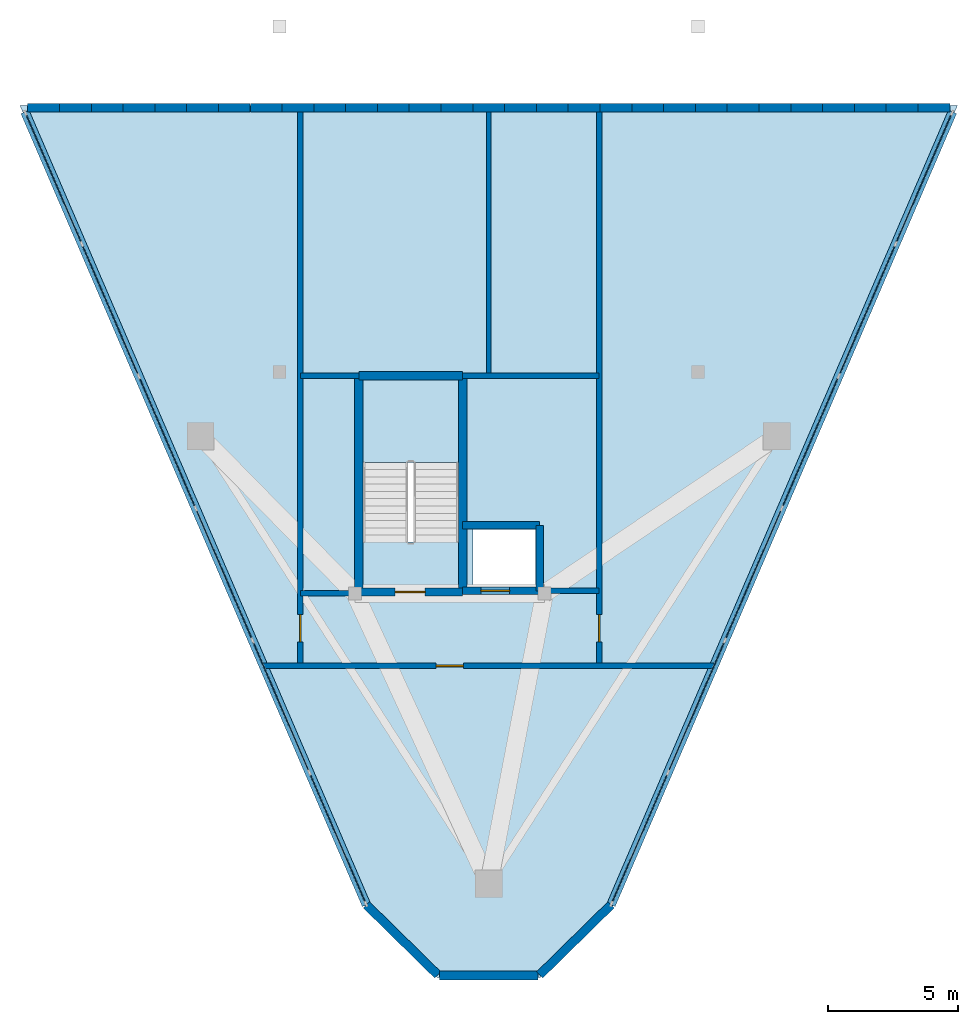
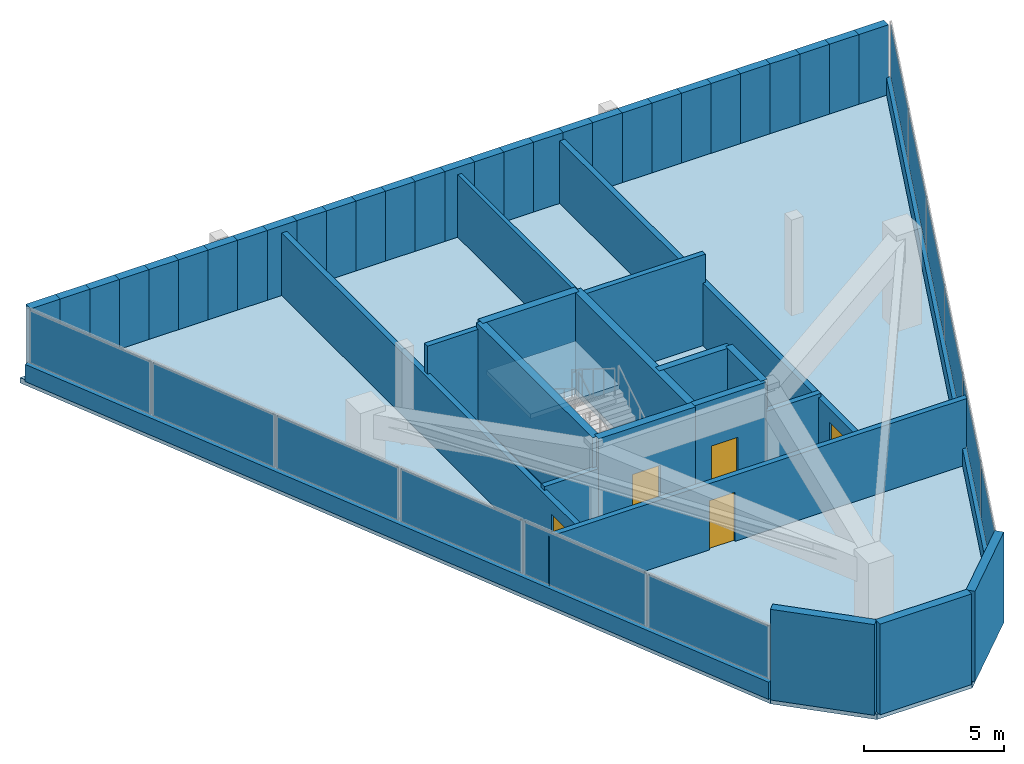
# One storey, part 3 of 5: 49 walls, 12 plates, 5 doors, 2 slabs, 5 openings, 3 elements without a shape of their own.
"""IFC4 building model written with IfcOpenShell, lengths in metres."""

import ifcopenshell
import ifcopenshell.guid

model = None  # the IFC model being written
_history = None  # IfcOwnerHistory: only IFC2X3 demands one
_inside = {}  # id of a spatial element -> (the spatial element, [elements in it])
_under = {}  # id of a project, library or spatial element -> (it, [spatial elements below it])
_declared = {}  # id of a project -> (the project, [libraries it declares])
_typed = {}  # id of a type object -> (the type object, [elements of that type])
_made_of = {}  # id of a material, layer set ... -> (it, [elements and type objects made of it])


def new_model(schema):
    """Start an empty IFC model of exactly this schema.

    Asked for "IFC4X3", IfcOpenShell would pick the latest addendum, in which some entities
    have other attributes; the version numbers below select the first issue.
    IFC2X3 requires an IfcOwnerHistory on every rooted entity: one is made here for all.
    """
    global model, _history
    if schema == "IFC4X3":
        model = ifcopenshell.file(schema_version=(4, 3, 0, 0))
    else:
        model = ifcopenshell.file(schema=schema)
    _inside.clear()
    _under.clear()
    _declared.clear()
    _typed.clear()
    _made_of.clear()
    _history = None
    if model.schema == "IFC2X3":
        org = make("IfcOrganization", Name="unknown")
        user = make(
            "IfcPersonAndOrganization",
            ThePerson=make("IfcPerson", FamilyName="unknown"),
            TheOrganization=org,
        )
        app = make(
            "IfcApplication",
            ApplicationDeveloper=org,
            Version="unknown",
            ApplicationFullName="unknown",
            ApplicationIdentifier="unknown",
        )
        _history = make(
            "IfcOwnerHistory",
            OwningUser=user,
            OwningApplication=app,
            ChangeAction="ADDED",
            CreationDate=0,
        )
    return model


def make(cls, **values):
    """One entity of the class cls with the attributes given. An attribute that is None is left unset."""
    return model.create_entity(
        cls, **{name: value for name, value in values.items() if value is not None}
    )


def rooted(cls, **values):
    """An entity with a GlobalId (a new one), such as an element, a storey or a relation."""
    return make(cls, GlobalId=ifcopenshell.guid.new(), OwnerHistory=_history, **values)


def si_unit(unit_type, name, prefix=None):
    """IfcSIUnit, for example si_unit("LENGTHUNIT", "METRE", prefix="MILLI")."""
    return make("IfcSIUnit", UnitType=unit_type, Prefix=prefix, Name=name)


def assignment(units):
    """IfcUnitAssignment: the units of a project."""
    return None if units is None else make("IfcUnitAssignment", Units=units)


def point(xyz):
    """IfcCartesianPoint."""
    return None if xyz is None else make("IfcCartesianPoint", Coordinates=xyz)


def direction(xyz):
    """IfcDirection."""
    return None if xyz is None else make("IfcDirection", DirectionRatios=xyz)


def frame(location, z_axis=None, x_axis=None):
    """IfcAxis2Placement3D, a coordinate frame: its origin and axes. An axis left out is left unset."""
    return make(
        "IfcAxis2Placement3D",
        Location=point(location),
        Axis=direction(z_axis),
        RefDirection=direction(x_axis),
    )


def frame_2d(location, x_axis=None):
    """IfcAxis2Placement2D, a coordinate frame in the plane: its origin and x axis."""
    return make(
        "IfcAxis2Placement2D", Location=point(location), RefDirection=direction(x_axis)
    )


def origin():
    """The frame at (0, 0, 0) with its axes left unset."""
    return frame((0.0, 0.0, 0.0))


def origin_2d():
    """The frame at (0, 0) in the plane with its x axis left unset."""
    return frame_2d((0.0, 0.0))


def place(relative_to, where):
    """IfcLocalPlacement: puts the frame where relative to a parent placement (None: the world)."""
    return make(
        "IfcLocalPlacement", PlacementRelTo=relative_to, RelativePlacement=where
    )


def context(
    kind, dimensions, precision=None, world=None, true_north=None, identifier=None
):
    """IfcGeometricRepresentationContext, for example the 3D "Model" context."""
    return make(
        "IfcGeometricRepresentationContext",
        ContextIdentifier=identifier,
        ContextType=kind,
        CoordinateSpaceDimension=dimensions,
        Precision=precision,
        WorldCoordinateSystem=world,
        TrueNorth=true_north,
    )


def subcontext(parent, identifier, kind, view, scale=None):
    """IfcGeometricRepresentationSubContext, for example "Body" below "Model"."""
    return make(
        "IfcGeometricRepresentationSubContext",
        ContextIdentifier=identifier,
        ContextType=kind,
        ParentContext=parent,
        TargetScale=scale,
        TargetView=view,
    )


def project(units=None, contexts=None):
    """IfcProject with its units and contexts."""
    return rooted(
        "IfcProject",
        Name="project",
        RepresentationContexts=contexts,
        UnitsInContext=assignment(units),
    )


def spatial(cls, under=None, at=None, **own):
    """A site, building, storey or space (cls), placed at a placement, below another one or the project."""
    s = rooted(cls, ObjectPlacement=at, **own)
    if under is not None:
        _under.setdefault(under.id(), (under, []))[1].append(s)
    return s


def polyline(points):
    """IfcPolyline through the points."""
    return make("IfcPolyline", Points=[point(p) for p in points])


def profile(cls, at=None, kind="AREA", **sizes):
    """A parametric profile (cls). Its sizes go by their IFC names, for example OverallWidth=200.0."""
    return make(cls, ProfileType=kind, Position=at, **sizes)


def rectangle(**sizes):
    """IfcRectangleProfileDef."""
    return profile("IfcRectangleProfileDef", **sizes)


def outline(outer, holes=None, kind="AREA"):
    """IfcArbitraryClosedProfileDef: a profile drawn as a closed curve; with holes, ...WithVoids."""
    if holes is None:
        return make("IfcArbitraryClosedProfileDef", ProfileType=kind, OuterCurve=outer)
    return make(
        "IfcArbitraryProfileDefWithVoids",
        ProfileType=kind,
        OuterCurve=outer,
        InnerCurves=holes,
    )


def extrude(swept, where, along, depth):
    """IfcExtrudedAreaSolid: the profile swept, set in the frame where, extruded along a direction by depth."""
    return make(
        "IfcExtrudedAreaSolid",
        SweptArea=swept,
        Position=where,
        ExtrudedDirection=direction(along),
        Depth=depth,
    )


def shape(context_of_items, identifier, shape_type, items):
    """IfcShapeRepresentation: the items that make up one representation, for example the "Body"."""
    return make(
        "IfcShapeRepresentation",
        ContextOfItems=context_of_items,
        RepresentationIdentifier=identifier,
        RepresentationType=shape_type,
        Items=items,
    )


def material(Name=None, Category=None):
    """IfcMaterial."""
    return make("IfcMaterial", Name=Name, Category=Category)


def layer(
    of_material, thickness, ventilated=None, Name=None, Category=None, Priority=None
):
    """IfcMaterialLayer: one layer of a wall or slab, of a material (None: an air gap)."""
    return make(
        "IfcMaterialLayer",
        Material=of_material,
        LayerThickness=thickness,
        IsVentilated=ventilated,
        Name=Name,
        Category=Category,
        Priority=Priority,
    )


def layer_set(layers, Name=None):
    """IfcMaterialLayerSet."""
    return make("IfcMaterialLayerSet", MaterialLayers=layers, LayerSetName=Name)


def made_of(thing, what):
    """Note that an element or type object is made of a material, layer set ...; save() writes the relation."""
    if what is not None:
        _made_of.setdefault(what.id(), (what, []))[1].append(thing)
    return thing


def type_object(cls, material=None, **own):
    """A type object (cls), such as IfcWallType, which elements share."""
    return made_of(rooted(cls, **own), material)


def element(
    cls,
    number,
    at=None,
    inside=None,
    cuts=None,
    type_object=None,
    material=None,
    context=None,
    identifier="Body",
    shape_type=None,
    held_by="IfcProductDefinitionShape",
    body=None,
    shapes=None,
    **own,
):
    """One element of the class cls, such as IfcWall. Its Tag is "e" and its number.

    at: its placement. inside: the storey or other place that contains it. cuts: it is an
    opening in that element (IfcRelVoidsElement). A single representation is given by context,
    identifier, shape_type and body (its items); several are given by shapes. held_by: the class
    of the entity that holds the representations. save() writes the other relations.
    """
    e = rooted(cls, Tag="e%d" % number, ObjectPlacement=at, **own)
    if body is not None:
        shapes = [shape(context, identifier, shape_type, body)]
    if shapes is not None:
        e.Representation = make(held_by, Representations=shapes)
    if inside is not None:
        _inside.setdefault(inside.id(), (inside, []))[1].append(e)
    if cuts is not None:
        rooted(
            "IfcRelVoidsElement", RelatingBuildingElement=cuts, RelatedOpeningElement=e
        )
    if type_object is not None:
        _typed.setdefault(type_object.id(), (type_object, []))[1].append(e)
    return made_of(e, material)


def fill(opening, filler):
    """IfcRelFillsElement: the door or window that sits in an opening."""
    return rooted(
        "IfcRelFillsElement",
        RelatingOpeningElement=opening,
        RelatedBuildingElement=filler,
    )


def aggregate(whole, parts):
    """IfcRelAggregates: a whole, such as a stair, and the parts it consists of."""
    return rooted("IfcRelAggregates", RelatingObject=whole, RelatedObjects=parts)


def save(model, path):
    """Write the relations noted so far, then the file.

    IfcRelAggregates (storeys below a building ...), IfcRelContainedInSpatialStructure (elements
    in a storey), IfcRelDefinesByType, IfcRelAssociatesMaterial and IfcRelDeclares: one each for
    every whole, place, type object, material and project.
    """
    for whole, parts in _under.values():
        aggregate(whole, parts)
    for where, things in _inside.values():
        rooted(
            "IfcRelContainedInSpatialStructure",
            RelatedElements=things,
            RelatingStructure=where,
        )
    for kind, things in _typed.values():
        rooted("IfcRelDefinesByType", RelatedObjects=things, RelatingType=kind)
    for what, things in _made_of.values():
        rooted("IfcRelAssociatesMaterial", RelatedObjects=things, RelatingMaterial=what)
    for by, libraries in _declared.values():
        rooted("IfcRelDeclares", RelatingContext=by, RelatedDefinitions=libraries)
    model.write(path)


model = new_model("IFC4")

# Units and contexts
model_context = context("Model", 3, precision=1e-05, world=origin(), true_north=direction((0.0, 1.0)))
body_context = subcontext(model_context, "Body", "Model", "MODEL_VIEW")
ifc_project = project(units=[si_unit("LENGTHUNIT", "METRE"), si_unit("AREAUNIT", "SQUARE_METRE"), si_unit("VOLUMEUNIT", "CUBIC_METRE"), si_unit("PLANEANGLEUNIT", "RADIAN"), si_unit("MASSUNIT", "GRAM", prefix="KILO")], contexts=[model_context])

# Site, building, storey
site_placement = place(None, origin())
site = spatial("IfcSite", under=ifc_project, at=site_placement, CompositionType="ELEMENT")
building_placement = place(site_placement, origin())
building = spatial("IfcBuilding", under=site, at=building_placement, Name="Talyreon Biosciences Tower", CompositionType="ELEMENT")
storey_placement = place(building_placement, frame((0.0, 0.0, 325.60009765625)))
storey = spatial("IfcBuildingStorey", under=building, at=storey_placement, Name="L86", CompositionType="ELEMENT", Elevation=325.60009765625)

# Curtain wall, plates
ifc_material_1 = material(Name="Thermally broken aluminium and low-E glazing", Category="aluminium")
ifc_layer_1 = layer(ifc_material_1, 0.2099609375)
ifc_layer_set_1 = layer_set([ifc_layer_1], Name="Thermally broken aluminium and low-E glazing")
curtain_wall_type = type_object("IfcCurtainWallType", Name="CurtainWall_SlantedCrown", PredefinedType="NOTDEFINED", material=ifc_layer_set_1)
curtain_wall_1_placement = place(storey_placement, origin())
curtain_wall_1 = element("IfcCurtainWall", 1, at=curtain_wall_1_placement, inside=storey, type_object=curtain_wall_type, Name="L86 Unitised Curtain Wall FCW-L86-01C", PredefinedType="NOTDEFINED")
ifc_material_2 = material(Name="Acoustic laminated low-E insulated glazing", Category="glass")
ifc_layer_2 = layer(ifc_material_2, 0.0380859375)
ifc_layer_set_2 = layer_set([ifc_layer_2], Name="Acoustic laminated low-E insulated glazing")
plate_type = type_object("IfcPlateType", Name="CWGlazingPanel_38", PredefinedType="CURTAIN_PANEL", material=ifc_layer_set_2)
plate_1_placement = place(storey_placement, frame((82.741943359375, 68.804931640625, 0.77490234375), z_axis=(0.0, 0.0, 1.0), x_axis=(-0.395451012947, -0.918487069239, 0.0)))
plate_1 = element("IfcPlate", 2, at=plate_1_placement, type_object=plate_type, Name="CW8 panel 1.1", PredefinedType="CURTAIN_PANEL", context=body_context, shape_type="SweptSolid", body=[
    extrude(rectangle(XDim=5.42333984375, YDim=0.0380859375, at=origin_2d()), origin(), (0.0, 0.0, 1.0), 2.296142578125),
])
plate_2_placement = place(storey_placement, frame((80.56005859375, 63.737548828125, 0.77490234375), z_axis=(0.0, 0.0, 1.0), x_axis=(-0.395451012947, -0.918487069239, 0.0)))
plate_2 = element("IfcPlate", 3, at=plate_2_placement, type_object=plate_type, Name="CW8 panel 2.1", PredefinedType="CURTAIN_PANEL", context=body_context, shape_type="SweptSolid", body=[
    extrude(rectangle(XDim=5.4609375, YDim=0.0380859375, at=origin_2d()), origin(), (0.0, 0.0, 1.0), 2.296142578125),
])
plate_3_placement = place(storey_placement, frame((78.370849609375, 58.65283203125, 0.77490234375), z_axis=(0.0, 0.0, 1.0), x_axis=(-0.395451012947, -0.918487069239, 0.0)))
plate_3 = element("IfcPlate", 4, at=plate_3_placement, type_object=plate_type, Name="CW8 panel 3.1", PredefinedType="CURTAIN_PANEL", context=body_context, shape_type="SweptSolid", body=[
    extrude(rectangle(XDim=5.4609375, YDim=0.0380859375, at=origin_2d()), origin(), (0.0, 0.0, 1.0), 2.296142578125),
])
plate_4_placement = place(storey_placement, frame((76.181640625, 53.568359375, 0.77490234375), z_axis=(0.0, 0.0, 1.0), x_axis=(-0.395451012947, -0.918487069239, 0.0)))
plate_4 = element("IfcPlate", 5, at=plate_4_placement, type_object=plate_type, Name="CW8 panel 4.1", PredefinedType="CURTAIN_PANEL", context=body_context, shape_type="SweptSolid", body=[
    extrude(rectangle(XDim=5.4609375, YDim=0.0380859375, at=origin_2d()), origin(), (0.0, 0.0, 1.0), 2.296142578125),
])
plate_5_placement = place(storey_placement, frame((73.99267578125, 48.483642578125, 0.77490234375), z_axis=(0.0, 0.0, 1.0), x_axis=(-0.395451012947, -0.918487069239, 0.0)))
plate_5 = element("IfcPlate", 6, at=plate_5_placement, type_object=plate_type, Name="CW8 panel 5.1", PredefinedType="CURTAIN_PANEL", context=body_context, shape_type="SweptSolid", body=[
    extrude(rectangle(XDim=5.4609375, YDim=0.0380859375, at=origin_2d()), origin(), (0.0, 0.0, 1.0), 2.296142578125),
])
plate_6_placement = place(storey_placement, frame((71.810791015625, 43.416259765625, 0.77490234375), z_axis=(0.0, 0.0, 1.0), x_axis=(-0.395451012947, -0.918487069239, 0.0)))
plate_6 = element("IfcPlate", 7, at=plate_6_placement, type_object=plate_type, Name="CW8 panel 6.1", PredefinedType="CURTAIN_PANEL", context=body_context, shape_type="SweptSolid", body=[
    extrude(rectangle(XDim=5.42333984375, YDim=0.0380859375, at=origin_2d()), origin(), (0.0, 0.0, 1.0), 2.296142578125),
])
aggregate(curtain_wall_1, [plate_1, plate_2, plate_3, plate_4, plate_5, plate_6])

curtain_wall_2_placement = place(storey_placement, origin())
curtain_wall_2 = element("IfcCurtainWall", 8, at=curtain_wall_2_placement, inside=storey, type_object=curtain_wall_type, Name="L86 Unitised Curtain Wall FCW-L86-05C", PredefinedType="NOTDEFINED")
plate_7_placement = place(storey_placement, frame((60.189208984375, 43.416259765625, 0.77490234375), z_axis=(0.0, 0.0, 1.0), x_axis=(-0.395451012947, 0.918487069239, 0.0)))
plate_7 = element("IfcPlate", 9, at=plate_7_placement, type_object=plate_type, Name="CW8 panel 1.1", PredefinedType="CURTAIN_PANEL", context=body_context, shape_type="SweptSolid", body=[
    extrude(rectangle(XDim=5.42333984375, YDim=0.0380859375, at=origin_2d()), origin(), (0.0, 0.0, 1.0), 2.296142578125),
])
plate_8_placement = place(storey_placement, frame((58.00732421875, 48.483642578125, 0.77490234375), z_axis=(0.0, 0.0, 1.0), x_axis=(-0.395451012947, 0.918487069239, 0.0)))
plate_8 = element("IfcPlate", 10, at=plate_8_placement, type_object=plate_type, Name="CW8 panel 2.1", PredefinedType="CURTAIN_PANEL", context=body_context, shape_type="SweptSolid", body=[
    extrude(rectangle(XDim=5.4609375, YDim=0.0380859375, at=origin_2d()), origin(), (0.0, 0.0, 1.0), 2.296142578125),
])
plate_9_placement = place(storey_placement, frame((55.818359375, 53.568359375, 0.77490234375), z_axis=(0.0, 0.0, 1.0), x_axis=(-0.395451012947, 0.918487069239, 0.0)))
plate_9 = element("IfcPlate", 11, at=plate_9_placement, type_object=plate_type, Name="CW8 panel 3.1", PredefinedType="CURTAIN_PANEL", context=body_context, shape_type="SweptSolid", body=[
    extrude(rectangle(XDim=5.4609375, YDim=0.0380859375, at=origin_2d()), origin(), (0.0, 0.0, 1.0), 2.296142578125),
])
plate_10_placement = place(storey_placement, frame((53.629150390625, 58.65283203125, 0.77490234375), z_axis=(0.0, 0.0, 1.0), x_axis=(-0.395451012947, 0.918487069239, 0.0)))
plate_10 = element("IfcPlate", 12, at=plate_10_placement, type_object=plate_type, Name="CW8 panel 4.1", PredefinedType="CURTAIN_PANEL", context=body_context, shape_type="SweptSolid", body=[
    extrude(rectangle(XDim=5.4609375, YDim=0.0380859375, at=origin_2d()), origin(), (0.0, 0.0, 1.0), 2.296142578125),
])
plate_11_placement = place(storey_placement, frame((51.43994140625, 63.737548828125, 0.77490234375), z_axis=(0.0, 0.0, 1.0), x_axis=(-0.395451012947, 0.918487069239, 0.0)))
plate_11 = element("IfcPlate", 13, at=plate_11_placement, type_object=plate_type, Name="CW8 panel 5.1", PredefinedType="CURTAIN_PANEL", context=body_context, shape_type="SweptSolid", body=[
    extrude(rectangle(XDim=5.4609375, YDim=0.0380859375, at=origin_2d()), origin(), (0.0, 0.0, 1.0), 2.296142578125),
])
plate_12_placement = place(storey_placement, frame((49.258056640625, 68.804931640625, 0.77490234375), z_axis=(0.0, 0.0, 1.0), x_axis=(-0.395451012947, 0.918487069239, 0.0)))
plate_12 = element("IfcPlate", 14, at=plate_12_placement, type_object=plate_type, Name="CW8 panel 6.1", PredefinedType="CURTAIN_PANEL", context=body_context, shape_type="SweptSolid", body=[
    extrude(rectangle(XDim=5.42333984375, YDim=0.0380859375, at=origin_2d()), origin(), (0.0, 0.0, 1.0), 2.296142578125),
])
aggregate(curtain_wall_2, [plate_7, plate_8, plate_9, plate_10, plate_11, plate_12])

# Slab
ifc_material_3 = material(Name="Concrete C40/50", Category="concrete")
ifc_layer_3 = layer(ifc_material_3, 0.235107421875)
ifc_layer_set_3 = layer_set([ifc_layer_3], Name="Concrete C40/50")
slab_type_1 = type_object("IfcSlabType", Name="CrownPlantSlab_235", PredefinedType="FLOOR", material=ifc_layer_set_3)
slab_1_placement = place(storey_placement, frame((0.0, 0.0, -0.235107421875)))
element("IfcSlab", 15, at=slab_1_placement, inside=storey, type_object=slab_type_1, Name="L86 Structural Floor Slab", PredefinedType="FLOOR", context=body_context, shape_type="SweptSolid", body=[
    extrude(outline(polyline([(47.9658203125, 71.6044921875), (84.0341796875, 71.6044921875), (70.776123046875, 40.810546875), (67.9677734375, 38.053466796875), (64.0322265625, 38.053466796875), (61.223876953125, 40.810546875), (47.9658203125, 71.6044921875)]), holes=[polyline([(65.39990234375, 53.10009765625), (65.39990234375, 55.300048828125), (67.800048828125, 55.300048828125), (67.800048828125, 53.10009765625), (65.39990234375, 53.10009765625)]), polyline([(61.159912109375, 54.80810546875), (61.159912109375, 61.050048828125), (64.840087890625, 61.050048828125), (64.840087890625, 54.80810546875), (61.159912109375, 54.80810546875)])]), origin(), (0.0, 0.0, 1.0), 0.235107421875),
])

# Stair, slab
stair_type = type_object("IfcStairType", Name="DoglegEscapeStair_4200", PredefinedType="HALF_TURN_STAIR", material=ifc_material_3)
stair_placement = place(storey_placement, origin())
stair = element("IfcStair", 16, at=stair_placement, inside=storey, type_object=stair_type, Name="L86 Crown Internal Escape Stair 4", PredefinedType="HALF_TURN_STAIR")
ifc_layer_4 = layer(ifc_material_3, 0.199951171875)
ifc_layer_set_4 = layer_set([ifc_layer_4], Name="Concrete C40/50")
slab_type_2 = type_object("IfcSlabType", Name="StairLandingSlab_200", PredefinedType="LANDING", material=ifc_layer_set_4)
slab_2_placement = place(storey_placement, frame((0.0, 0.0, 1.89990234375)))
slab_2 = element("IfcSlab", 17, at=slab_2_placement, type_object=slab_type_2, Name="ST-4 landing 1", PredefinedType="LANDING", context=body_context, shape_type="SweptSolid", body=[
    extrude(outline(polyline([(64.840087890625, 57.8798828125), (64.840087890625, 61.050048828125), (61.159912109375, 61.050048828125), (61.159912109375, 57.8798828125), (64.840087890625, 57.8798828125)])), origin(), (0.0, 0.0, 1.0), 0.199951171875),
])
aggregate(stair, [slab_2])

# Walls
ifc_material_4 = material(Name="Concrete C50/60", Category="concrete")
ifc_layer_5 = layer(ifc_material_4, 0.280029296875)
ifc_layer_set_5 = layer_set([ifc_layer_5], Name="Concrete C50/60")
wall_type_1 = type_object("IfcWallType", Name="CoreShearWall_280", PredefinedType="SHEAR", material=ifc_layer_set_5)
wall_1_placement = place(storey_placement, frame((67.9599609375, 52.93994140625, 0.0), z_axis=(0.0, 0.0, 1.0), x_axis=(0.0, 1.0, 0.0)))
element("IfcWall", 18, at=wall_1_placement, inside=storey, type_object=wall_type_1, Name="L86 Crown Service Lift SL1 Shaft Wall E", PredefinedType="SHEAR", context=body_context, shape_type="SweptSolid", body=[
    extrude(rectangle(XDim=2.52001953125, YDim=0.280029296875, at=frame_2d((1.260009765625, 0.0))), origin(), (0.0, 0.0, 1.0), 4.199951171875),
])
wall_2_placement = place(storey_placement, frame((65.0, 55.4599609375, 0.0), z_axis=(0.0, 0.0, 1.0), x_axis=(1.0, 0.0, 0.0)))
element("IfcWall", 19, at=wall_2_placement, inside=storey, type_object=wall_type_1, Name="L86 Crown Service Lift SL1 Shaft Wall N", PredefinedType="SHEAR", context=body_context, shape_type="SweptSolid", body=[
    extrude(rectangle(XDim=2.9599609375, YDim=0.280029296875, at=frame_2d((1.47998046875, 0.0))), origin(), (0.0, 0.0, 1.0), 4.199951171875),
])

# Wall, opening, door
wall_3_placement = place(storey_placement, frame((65.0, 52.93994140625, 0.0), z_axis=(0.0, 0.0, 1.0), x_axis=(1.0, 0.0, 0.0)))
wall_3 = element("IfcWall", 20, at=wall_3_placement, inside=storey, type_object=wall_type_1, Name="L86 Crown Service Lift SL1 Shaft Wall S", PredefinedType="SHEAR", context=body_context, shape_type="SweptSolid", body=[
    extrude(rectangle(XDim=2.9599609375, YDim=0.280029296875, at=frame_2d((1.47998046875, 0.0))), origin(), (0.0, 0.0, 1.0), 4.199951171875),
])
opening_1_placement = place(wall_3_placement, frame((0.699951171875, 0.0, 0.0)))
opening_1 = element("IfcOpeningElement", 21, at=opening_1_placement, cuts=wall_3, Name="Opening LD-L86-SL1", PredefinedType="OPENING", context=body_context, shape_type="SweptSolid", body=[
    extrude(rectangle(XDim=1.10009765625, YDim=2.199951171875, at=frame_2d((0.550048828125, 1.10009765625))), frame((0.0, 0.14990234375, 0.0), z_axis=(0.0, -1.0, 0.0), x_axis=(1.0, 0.0, 0.0)), (0.0, 0.0, 1.0), 0.300048828125),
])
ifc_material_5 = material(Name="Brushed stainless-steel lift landing door", Category="steel")
door_type_1 = type_object("IfcDoorType", Name="LiftSlidingLandingDoor_1100x2200", OperationType="SLIDING_TO_LEFT", PredefinedType="DOOR", material=ifc_material_5)
door_1_placement = place(opening_1_placement, origin())
door_1 = element("IfcDoor", 22, at=door_1_placement, inside=storey, type_object=door_type_1, Name="L86 Core Door LD-L86-SL1", OperationType="SLIDING_TO_LEFT", OverallHeight=2.199951171875, OverallWidth=1.10009765625, PredefinedType="DOOR", context=body_context, shape_type="SweptSolid", body=[
    extrude(rectangle(XDim=1.10009765625, YDim=2.199951171875, at=frame_2d((0.550048828125, 1.10009765625))), frame((0.0, 0.02490234375, 0.0), z_axis=(0.0, -1.0, 0.0), x_axis=(1.0, 0.0, 0.0)), (0.0, 0.0, 1.0), 0.050048828125),
])
fill(opening_1, door_1)

# Walls
ifc_layer_6 = layer(ifc_material_4, 0.320068359375)
ifc_layer_set_6 = layer_set([ifc_layer_6], Name="Concrete C50/60")
wall_type_2 = type_object("IfcWallType", Name="CoreShearWall_320", PredefinedType="SHEAR", material=ifc_layer_set_6)
for number, where, z_axis, x_axis, name in (
    (23, (61.0, 52.889892578125, 0.0), (0.0, 0.0, 1.0), (0.0, 1.0, 0.0), "L86 Crown Stair ST-4 Structural Wall W"),
    (24, (65.0, 52.889892578125, 0.0), (0.0, 0.0, 1.0), (0.0, 1.0, 0.0), "L86 Crown Stair ST-4 Structural Wall E"),
):
    element("IfcWall", number, at=place(storey_placement, frame(where, z_axis=z_axis, x_axis=x_axis)), inside=storey, type_object=wall_type_2, Name=name, PredefinedType="SHEAR", context=body_context, shape_type="SweptSolid", body=[
        extrude(rectangle(XDim=8.320068359375, YDim=0.320068359375, at=frame_2d((4.16015625, 0.0))), origin(), (0.0, 0.0, 1.0), 4.199951171875),
    ])
wall_4_placement = place(storey_placement, frame((61.0, 61.2099609375, 0.0), z_axis=(0.0, 0.0, 1.0), x_axis=(1.0, 0.0, 0.0)))
element("IfcWall", 25, at=wall_4_placement, inside=storey, type_object=wall_type_2, Name="L86 Crown Stair ST-4 Structural Wall N", PredefinedType="SHEAR", context=body_context, shape_type="SweptSolid", body=[
    extrude(rectangle(XDim=4.0, YDim=0.320068359375, at=frame_2d((2.0, 0.0))), origin(), (0.0, 0.0, 1.0), 4.199951171875),
])

# Wall, opening, door
wall_5_placement = place(storey_placement, frame((61.0, 52.889892578125, 0.0), z_axis=(0.0, 0.0, 1.0), x_axis=(1.0, 0.0, 0.0)))
wall_5 = element("IfcWall", 26, at=wall_5_placement, inside=storey, type_object=wall_type_2, Name="L86 Crown Stair ST-4 Structural Wall S", PredefinedType="SHEAR", context=body_context, shape_type="SweptSolid", body=[
    extrude(rectangle(XDim=4.0, YDim=0.320068359375, at=frame_2d((2.0, 0.0))), origin(), (0.0, 0.0, 1.0), 4.199951171875),
])
opening_2_placement = place(wall_5_placement, frame((1.39990234375, 0.0, 0.0)))
opening_2 = element("IfcOpeningElement", 27, at=opening_2_placement, cuts=wall_5, Name="Opening DR-L86-ST4", PredefinedType="OPENING", context=body_context, shape_type="SweptSolid", body=[
    extrude(rectangle(XDim=1.14990234375, YDim=2.14990234375, at=frame_2d((0.574951171875, 1.074951171875))), frame((0.0, 0.169921875, 0.0), z_axis=(0.0, -1.0, 0.0), x_axis=(1.0, 0.0, 0.0)), (0.0, 0.0, 1.0), 0.340087890625),
])
ifc_material_6 = material(Name="Painted steel fire door", Category="steel")
door_type_2 = type_object("IfcDoorType", Name="StairShaftFireDoor_1150x2150", OperationType="NOTDEFINED", PredefinedType="DOOR", material=ifc_material_6)
door_2_placement = place(opening_2_placement, origin())
door_2 = element("IfcDoor", 28, at=door_2_placement, inside=storey, type_object=door_type_2, Name="L86 Core Door DR-L86-ST4", OperationType="SINGLE_SWING_LEFT", OverallHeight=2.14990234375, OverallWidth=1.14990234375, PredefinedType="DOOR", context=body_context, shape_type="SweptSolid", body=[
    extrude(rectangle(XDim=1.14990234375, YDim=2.14990234375, at=frame_2d((0.574951171875, 1.074951171875))), frame((0.0, 0.02490234375, 0.0), z_axis=(0.0, -1.0, 0.0), x_axis=(1.0, 0.0, 0.0)), (0.0, 0.0, 1.0), 0.050048828125),
])
fill(opening_2, door_2)

ifc_material_7 = material(Name="Gypsum fireboard acoustic stud", Category="gypsum")
ifc_layer_7 = layer(ifc_material_7, 0.219970703125)
ifc_layer_set_7 = layer_set([ifc_layer_7], Name="Gypsum fireboard acoustic stud")
wall_type_3 = type_object("IfcWallType", Name="CorridorRatedPartition_220", PredefinedType="PARTITIONING", material=ifc_layer_set_7)
wall_6_placement = place(storey_placement, frame((57.33837890625, 50.050048828125, 0.0), z_axis=(0.0, 0.0, 1.0), x_axis=(1.0, 0.0, 0.0)))
wall_6 = element("IfcWall", 29, at=wall_6_placement, inside=storey, type_object=wall_type_3, Name="L86 Interior Wall IW-L86-CCOR-S", PredefinedType="PARTITIONING", context=body_context, shape_type="SweptSolid", body=[
    extrude(rectangle(XDim=17.3232421875, YDim=0.219970703125, at=frame_2d((8.66162109375, 0.0))), origin(), (0.0, 0.0, 1.0), 2.89501953125),
])
opening_3_placement = place(wall_6_placement, frame((6.636962890625, 0.0, 0.0)))
opening_3 = element("IfcOpeningElement", 30, at=opening_3_placement, cuts=wall_6, Name="Opening DR-L86-AHU", PredefinedType="OPENING", context=body_context, shape_type="SweptSolid", body=[
    extrude(rectangle(XDim=1.050048828125, YDim=2.14990234375, at=frame_2d((0.52490234375, 1.074951171875))), frame((0.0, 0.119873046875, 0.0), z_axis=(0.0, -1.0, 0.0), x_axis=(1.0, 0.0, 0.0)), (0.0, 0.0, 1.0), 0.239990234375),
])
ifc_material_8 = material(Name="Acoustic timber-core laboratory door", Category="wood")
door_type_3 = type_object("IfcDoorType", Name="DryLabSingleDoor_1050x2150", OperationType="NOTDEFINED", PredefinedType="DOOR", material=ifc_material_8)
door_3_placement = place(opening_3_placement, origin())
door_3 = element("IfcDoor", 31, at=door_3_placement, inside=storey, type_object=door_type_3, Name="L86 Interior Door DR-L86-AHU", OperationType="SINGLE_SWING_LEFT", OverallHeight=2.14990234375, OverallWidth=1.050048828125, PredefinedType="DOOR", context=body_context, shape_type="SweptSolid", body=[
    extrude(rectangle(XDim=1.050048828125, YDim=2.14990234375, at=frame_2d((0.52490234375, 1.074951171875))), frame((0.0, 0.02490234375, 0.0), z_axis=(0.0, -1.0, 0.0), x_axis=(1.0, 0.0, 0.0)), (0.0, 0.0, 1.0), 0.050048828125),
])
fill(opening_3, door_3)

wall_7_placement = place(storey_placement, frame((58.75, 50.050048828125, 0.0), z_axis=(0.0, 0.0, 1.0), x_axis=(0.0, 1.0, 0.0)))
wall_7 = element("IfcWall", 32, at=wall_7_placement, inside=storey, type_object=wall_type_3, Name="L86 Interior Wall IW-L86-CCOR-W", PredefinedType="PARTITIONING", context=body_context, shape_type="SweptSolid", body=[
    extrude(rectangle(XDim=21.46923828125, YDim=0.219970703125, at=frame_2d((10.734619140625, 0.0))), origin(), (0.0, 0.0, 1.0), 2.734619140625),
])
opening_4_placement = place(wall_7_placement, frame((0.925048828125, 0.0, 0.0)))
opening_4 = element("IfcOpeningElement", 33, at=opening_4_placement, cuts=wall_7, Name="Opening DR-L86-SWG", PredefinedType="OPENING", context=body_context, shape_type="SweptSolid", body=[
    extrude(rectangle(XDim=1.050048828125, YDim=2.14990234375, at=frame_2d((0.52490234375, 1.074951171875))), frame((0.0, 0.119873046875, 0.0), z_axis=(0.0, -1.0, 0.0), x_axis=(1.0, 0.0, 0.0)), (0.0, 0.0, 1.0), 0.239990234375),
])
door_4_placement = place(opening_4_placement, origin())
door_4 = element("IfcDoor", 34, at=door_4_placement, inside=storey, type_object=door_type_3, Name="L86 Interior Door DR-L86-SWG", OperationType="SINGLE_SWING_LEFT", OverallHeight=2.14990234375, OverallWidth=1.050048828125, PredefinedType="DOOR", context=body_context, shape_type="SweptSolid", body=[
    extrude(rectangle(XDim=1.050048828125, YDim=2.14990234375, at=frame_2d((0.52490234375, 1.074951171875))), frame((0.0, 0.02490234375, 0.0), z_axis=(0.0, -1.0, 0.0), x_axis=(1.0, 0.0, 0.0)), (0.0, 0.0, 1.0), 0.050048828125),
])
fill(opening_4, door_4)

wall_8_placement = place(storey_placement, frame((70.25, 50.050048828125, 0.0), z_axis=(0.0, 0.0, 1.0), x_axis=(0.0, 1.0, 0.0)))
wall_8 = element("IfcWall", 35, at=wall_8_placement, inside=storey, type_object=wall_type_3, Name="L86 Interior Wall IW-L86-CCOR-E", PredefinedType="PARTITIONING", context=body_context, shape_type="SweptSolid", body=[
    extrude(rectangle(XDim=21.46923828125, YDim=0.219970703125, at=frame_2d((10.734619140625, 0.0))), origin(), (0.0, 0.0, 1.0), 2.734619140625),
])
opening_5_placement = place(wall_8_placement, frame((0.925048828125, 0.0, 0.0)))
opening_5 = element("IfcOpeningElement", 36, at=opening_5_placement, cuts=wall_8, Name="Opening DR-L86-CHL", PredefinedType="OPENING", context=body_context, shape_type="SweptSolid", body=[
    extrude(rectangle(XDim=1.050048828125, YDim=2.14990234375, at=frame_2d((0.52490234375, 1.074951171875))), frame((0.0, 0.119873046875, 0.0), z_axis=(0.0, -1.0, 0.0), x_axis=(1.0, 0.0, 0.0)), (0.0, 0.0, 1.0), 0.239990234375),
])
door_5_placement = place(opening_5_placement, origin())
door_5 = element("IfcDoor", 37, at=door_5_placement, inside=storey, type_object=door_type_3, Name="L86 Interior Door DR-L86-CHL", OperationType="SINGLE_SWING_RIGHT", OverallHeight=2.14990234375, OverallWidth=1.050048828125, PredefinedType="DOOR", context=body_context, shape_type="SweptSolid", body=[
    extrude(rectangle(XDim=1.050048828125, YDim=2.14990234375, at=frame_2d((0.52490234375, 1.074951171875))), frame((0.0, 0.02490234375, 0.0), z_axis=(0.0, -1.0, 0.0), x_axis=(1.0, 0.0, 0.0)), (0.0, 0.0, 1.0), 0.050048828125),
])
fill(opening_5, door_5)

# Walls
wall_9_placement = place(storey_placement, frame((58.75, 52.840087890625, 0.0), z_axis=(0.0, 0.0, 1.0), x_axis=(1.0, 0.0, 0.0)))
element("IfcWall", 38, at=wall_9_placement, inside=storey, type_object=wall_type_3, Name="L86 Interior Wall IW-L86-CCOR-NW", PredefinedType="PARTITIONING", context=body_context, shape_type="SweptSolid", body=[
    extrude(rectangle(XDim=2.25, YDim=0.219970703125, at=frame_2d((1.125, 0.0))), origin(), (0.0, 0.0, 1.0), 2.89501953125),
])
wall_10_placement = place(storey_placement, frame((67.9599609375, 52.93994140625, 0.0), z_axis=(0.0, 0.0, 1.0), x_axis=(1.0, 0.0, 0.0)))
element("IfcWall", 39, at=wall_10_placement, inside=storey, type_object=wall_type_3, Name="L86 Interior Wall IW-L86-CCOR-NE", PredefinedType="PARTITIONING", context=body_context, shape_type="SweptSolid", body=[
    extrude(rectangle(XDim=2.2900390625, YDim=0.219970703125, at=frame_2d((1.14501953125, 0.0))), origin(), (0.0, 0.0, 1.0), 2.89501953125),
])
wall_11_placement = place(storey_placement, frame((58.75, 61.2099609375, 0.0), z_axis=(0.0, 0.0, 1.0), x_axis=(1.0, 0.0, 0.0)))
element("IfcWall", 40, at=wall_11_placement, inside=storey, type_object=wall_type_3, Name="L86 Interior Wall IW-L86-CCOR-NTOPW", PredefinedType="PARTITIONING", context=body_context, shape_type="SweptSolid", body=[
    extrude(rectangle(XDim=2.25, YDim=0.219970703125, at=frame_2d((1.125, 0.0))), origin(), (0.0, 0.0, 1.0), 3.96484375),
])
wall_12_placement = place(storey_placement, frame((65.0, 61.2099609375, 0.0), z_axis=(0.0, 0.0, 1.0), x_axis=(1.0, 0.0, 0.0)))
element("IfcWall", 41, at=wall_12_placement, inside=storey, type_object=wall_type_3, Name="L86 Interior Wall IW-L86-CCOR-NTOPE", PredefinedType="PARTITIONING", context=body_context, shape_type="SweptSolid", body=[
    extrude(rectangle(XDim=5.25, YDim=0.219970703125, at=frame_2d((2.625, 0.0))), origin(), (0.0, 0.0, 1.0), 3.96484375),
])
ifc_material_9 = material(Name="Gypsum acoustic stud partition", Category="gypsum")
ifc_layer_8 = layer(ifc_material_9, 0.159912109375)
ifc_layer_set_8 = layer_set([ifc_layer_8], Name="Gypsum acoustic stud partition")
wall_type_4 = type_object("IfcWallType", Name="LabSeparationPartition_160", PredefinedType="PARTITIONING", material=ifc_layer_set_8)
wall_13_placement = place(storey_placement, frame((66.0, 61.2099609375, 0.0), z_axis=(0.0, 0.0, 1.0), x_axis=(0.0, 1.0, 0.0)))
element("IfcWall", 42, at=wall_13_placement, inside=storey, type_object=wall_type_4, Name="L86 Interior Wall IW-L86-CDIV-N", PredefinedType="PARTITIONING", context=body_context, shape_type="SweptSolid", body=[
    extrude(rectangle(XDim=10.309326171875, YDim=0.159912109375, at=frame_2d((5.15478515625, 0.0))), origin(), (0.0, 0.0, 1.0), 2.734619140625),
])
ifc_material_10 = material(Name="Precast concrete C45/55", Category="concrete")
ifc_layer_9 = layer(ifc_material_10, 0.340087890625)
ifc_layer_set_9 = layer_set([ifc_layer_9], Name="Precast concrete C45/55")
wall_type_5 = type_object("IfcWallType", Name="PrecastConcreteSpandrelWall_340", PredefinedType="STANDARD", material=ifc_layer_set_9)
for number, where, z_axis, x_axis, name in (
    (43, (48.26123046875, 71.5244140625, 0.0), (0.0, 0.0, 1.0), (1.0, 0.0, 0.0), "L86 Slanted Crown Spandrel 00.01"),
    (44, (49.484619140625, 71.5244140625, 0.0), (0.0, 0.0, 1.0), (1.0, 0.0, 0.0), "L86 Slanted Crown Spandrel 00.02"),
    (45, (50.7080078125, 71.5244140625, 0.0), (0.0, 0.0, 1.0), (1.0, 0.0, 0.0), "L86 Slanted Crown Spandrel 00.03"),
    (46, (51.931396484375, 71.5244140625, 0.0), (0.0, 0.0, 1.0), (1.0, 0.0, 0.0), "L86 Slanted Crown Spandrel 00.04"),
    (47, (53.15478515625, 71.5244140625, 0.0), (0.0, 0.0, 1.0), (1.0, 0.0, 0.0), "L86 Slanted Crown Spandrel 00.05"),
    (48, (54.378173828125, 71.5244140625, 0.0), (0.0, 0.0, 1.0), (1.0, 0.0, 0.0), "L86 Slanted Crown Spandrel 00.06"),
):
    element("IfcWall", number, at=place(storey_placement, frame(where, z_axis=z_axis, x_axis=x_axis)), inside=storey, type_object=wall_type_5, Name=name, PredefinedType="STANDARD", context=body_context, shape_type="SweptSolid", body=[
        extrude(rectangle(XDim=1.223388671875, YDim=0.340087890625, at=frame_2d((0.61181640625, 0.0))), origin(), (0.0, 0.0, 1.0), 3.052001953125),
    ])
wall_14_placement = place(storey_placement, frame((55.6015625, 71.5244140625, 0.0), z_axis=(0.0, 0.0, 1.0), x_axis=(1.0, 0.0, 0.0)))
element("IfcWall", 49, at=wall_14_placement, inside=storey, type_object=wall_type_5, Name="L86 Slanted Crown Spandrel 00.07", PredefinedType="STANDARD", context=body_context, shape_type="SweptSolid", body=[
    extrude(rectangle(XDim=1.22314453125, YDim=0.340087890625, at=frame_2d((0.611572265625, 0.0))), origin(), (0.0, 0.0, 1.0), 3.052001953125),
])
for number, where, z_axis, x_axis, name in (
    (50, (56.82470703125, 71.5244140625, 0.0), (0.0, 0.0, 1.0), (1.0, 0.0, 0.0), "L86 Slanted Crown Spandrel 00.08"),
    (51, (58.048095703125, 71.5244140625, 0.0), (0.0, 0.0, 1.0), (1.0, 0.0, 0.0), "L86 Slanted Crown Spandrel 00.09"),
    (52, (59.271484375, 71.5244140625, 0.0), (0.0, 0.0, 1.0), (1.0, 0.0, 0.0), "L86 Slanted Crown Spandrel 00.10"),
    (53, (60.494873046875, 71.5244140625, 0.0), (0.0, 0.0, 1.0), (1.0, 0.0, 0.0), "L86 Slanted Crown Spandrel 00.11"),
    (54, (61.71826171875, 71.5244140625, 0.0), (0.0, 0.0, 1.0), (1.0, 0.0, 0.0), "L86 Slanted Crown Spandrel 00.12"),
    (55, (62.941650390625, 71.5244140625, 0.0), (0.0, 0.0, 1.0), (1.0, 0.0, 0.0), "L86 Slanted Crown Spandrel 00.13"),
):
    element("IfcWall", number, at=place(storey_placement, frame(where, z_axis=z_axis, x_axis=x_axis)), inside=storey, type_object=wall_type_5, Name=name, PredefinedType="STANDARD", context=body_context, shape_type="SweptSolid", body=[
        extrude(rectangle(XDim=1.223388671875, YDim=0.340087890625, at=frame_2d((0.61181640625, 0.0))), origin(), (0.0, 0.0, 1.0), 3.052001953125),
    ])
wall_15_placement = place(storey_placement, frame((64.1650390625, 71.5244140625, 0.0), z_axis=(0.0, 0.0, 1.0), x_axis=(1.0, 0.0, 0.0)))
element("IfcWall", 56, at=wall_15_placement, inside=storey, type_object=wall_type_5, Name="L86 Slanted Crown Spandrel 00.14", PredefinedType="STANDARD", context=body_context, shape_type="SweptSolid", body=[
    extrude(rectangle(XDim=1.22314453125, YDim=0.340087890625, at=frame_2d((0.611572265625, 0.0))), origin(), (0.0, 0.0, 1.0), 3.052001953125),
])
wall_16_placement = place(storey_placement, frame((65.38818359375, 71.5244140625, 0.0), z_axis=(0.0, 0.0, 1.0), x_axis=(1.0, 0.0, 0.0)))
element("IfcWall", 57, at=wall_16_placement, inside=storey, type_object=wall_type_5, Name="L86 Slanted Crown Spandrel 00.15", PredefinedType="STANDARD", context=body_context, shape_type="SweptSolid", body=[
    extrude(rectangle(XDim=1.2236328125, YDim=0.340087890625, at=frame_2d((0.61181640625, 0.0))), origin(), (0.0, 0.0, 1.0), 3.052001953125),
])
wall_17_placement = place(storey_placement, frame((66.61181640625, 71.5244140625, 0.0), z_axis=(0.0, 0.0, 1.0), x_axis=(1.0, 0.0, 0.0)))
element("IfcWall", 58, at=wall_17_placement, inside=storey, type_object=wall_type_5, Name="L86 Slanted Crown Spandrel 00.16", PredefinedType="STANDARD", context=body_context, shape_type="SweptSolid", body=[
    extrude(rectangle(XDim=1.22314453125, YDim=0.340087890625, at=frame_2d((0.611572265625, 0.0))), origin(), (0.0, 0.0, 1.0), 3.052001953125),
])
for number, where, z_axis, x_axis, name in (
    (59, (67.8349609375, 71.5244140625, 0.0), (0.0, 0.0, 1.0), (1.0, 0.0, 0.0), "L86 Slanted Crown Spandrel 00.17"),
    (60, (69.058349609375, 71.5244140625, 0.0), (0.0, 0.0, 1.0), (1.0, 0.0, 0.0), "L86 Slanted Crown Spandrel 00.18"),
    (61, (70.28173828125, 71.5244140625, 0.0), (0.0, 0.0, 1.0), (1.0, 0.0, 0.0), "L86 Slanted Crown Spandrel 00.19"),
    (62, (71.505126953125, 71.5244140625, 0.0), (0.0, 0.0, 1.0), (1.0, 0.0, 0.0), "L86 Slanted Crown Spandrel 00.20"),
    (63, (72.728515625, 71.5244140625, 0.0), (0.0, 0.0, 1.0), (1.0, 0.0, 0.0), "L86 Slanted Crown Spandrel 00.21"),
    (64, (73.951904296875, 71.5244140625, 0.0), (0.0, 0.0, 1.0), (1.0, 0.0, 0.0), "L86 Slanted Crown Spandrel 00.22"),
):
    element("IfcWall", number, at=place(storey_placement, frame(where, z_axis=z_axis, x_axis=x_axis)), inside=storey, type_object=wall_type_5, Name=name, PredefinedType="STANDARD", context=body_context, shape_type="SweptSolid", body=[
        extrude(rectangle(XDim=1.223388671875, YDim=0.340087890625, at=frame_2d((0.61181640625, 0.0))), origin(), (0.0, 0.0, 1.0), 3.052001953125),
    ])
wall_18_placement = place(storey_placement, frame((75.17529296875, 71.5244140625, 0.0), z_axis=(0.0, 0.0, 1.0), x_axis=(1.0, 0.0, 0.0)))
element("IfcWall", 65, at=wall_18_placement, inside=storey, type_object=wall_type_5, Name="L86 Slanted Crown Spandrel 00.23", PredefinedType="STANDARD", context=body_context, shape_type="SweptSolid", body=[
    extrude(rectangle(XDim=1.22314453125, YDim=0.340087890625, at=frame_2d((0.611572265625, 0.0))), origin(), (0.0, 0.0, 1.0), 3.052001953125),
])
for number, where, z_axis, x_axis, name in (
    (66, (76.3984375, 71.5244140625, 0.0), (0.0, 0.0, 1.0), (1.0, 0.0, 0.0), "L86 Slanted Crown Spandrel 00.24"),
    (67, (77.621826171875, 71.5244140625, 0.0), (0.0, 0.0, 1.0), (1.0, 0.0, 0.0), "L86 Slanted Crown Spandrel 00.25"),
    (68, (78.84521484375, 71.5244140625, 0.0), (0.0, 0.0, 1.0), (1.0, 0.0, 0.0), "L86 Slanted Crown Spandrel 00.26"),
    (69, (80.068603515625, 71.5244140625, 0.0), (0.0, 0.0, 1.0), (1.0, 0.0, 0.0), "L86 Slanted Crown Spandrel 00.27"),
    (70, (81.2919921875, 71.5244140625, 0.0), (0.0, 0.0, 1.0), (1.0, 0.0, 0.0), "L86 Slanted Crown Spandrel 00.28"),
    (71, (82.515380859375, 71.5244140625, 0.0), (0.0, 0.0, 1.0), (1.0, 0.0, 0.0), "L86 Slanted Crown Spandrel 00.29"),
):
    element("IfcWall", number, at=place(storey_placement, frame(where, z_axis=z_axis, x_axis=x_axis)), inside=storey, type_object=wall_type_5, Name=name, PredefinedType="STANDARD", context=body_context, shape_type="SweptSolid", body=[
        extrude(rectangle(XDim=1.223388671875, YDim=0.340087890625, at=frame_2d((0.61181640625, 0.0))), origin(), (0.0, 0.0, 1.0), 3.052001953125),
    ])
wall_19_placement = place(storey_placement, frame((83.843994140625, 71.364501953125, 0.0), z_axis=(0.0, 0.0, 1.0), x_axis=(-0.395456972269, -0.918484503453, 0.0)))
element("IfcWall", 72, at=wall_19_placement, inside=storey, type_object=wall_type_5, Name="L86 Stepped Crown Sill Wall 01", PredefinedType="STANDARD", context=body_context, shape_type="SweptSolid", body=[
    extrude(rectangle(XDim=33.21533203125, YDim=0.340087890625, at=frame_2d((16.607666015625, 0.0))), origin(), (0.0, 0.0, 1.0), 0.75),
])
wall_20_placement = place(storey_placement, frame((70.708740234375, 40.856689453125, 0.0), z_axis=(0.0, 0.0, 1.0), x_axis=(-0.713578383516, -0.700575399639, 0.0)))
element("IfcWall", 73, at=wall_20_placement, inside=storey, type_object=wall_type_5, Name="L86 Stepped Crown Concrete Wall 02", PredefinedType="STANDARD", context=body_context, shape_type="SweptSolid", body=[
    extrude(rectangle(XDim=3.84912109375, YDim=0.340087890625, at=frame_2d((1.924560546875, 0.0))), origin(), (0.0, 0.0, 1.0), 3.96484375),
])
wall_21_placement = place(storey_placement, frame((67.89697265625, 38.133544921875, 0.0), z_axis=(0.0, 0.0, 1.0), x_axis=(-1.0, 0.0, 0.0)))
element("IfcWall", 74, at=wall_21_placement, inside=storey, type_object=wall_type_5, Name="L86 Stepped Crown Concrete Wall 03", PredefinedType="STANDARD", context=body_context, shape_type="SweptSolid", body=[
    extrude(rectangle(XDim=3.7939453125, YDim=0.340087890625, at=frame_2d((1.89697265625, 0.0))), origin(), (0.0, 0.0, 1.0), 3.96484375),
])
wall_22_placement = place(storey_placement, frame((64.037841796875, 38.16015625, 0.0), z_axis=(0.0, 0.0, 1.0), x_axis=(-0.713578383516, 0.700575399639, 0.0)))
element("IfcWall", 75, at=wall_22_placement, inside=storey, type_object=wall_type_5, Name="L86 Stepped Crown Concrete Wall 04", PredefinedType="STANDARD", context=body_context, shape_type="SweptSolid", body=[
    extrude(rectangle(XDim=3.84912109375, YDim=0.340087890625, at=frame_2d((1.924560546875, 0.0))), origin(), (0.0, 0.0, 1.0), 3.96484375),
])
wall_23_placement = place(storey_placement, frame((61.291259765625, 40.856689453125, 0.0), z_axis=(0.0, 0.0, 1.0), x_axis=(-0.395456972269, 0.918484503453, 0.0)))
element("IfcWall", 76, at=wall_23_placement, inside=storey, type_object=wall_type_5, Name="L86 Stepped Crown Sill Wall 05", PredefinedType="STANDARD", context=body_context, shape_type="SweptSolid", body=[
    extrude(rectangle(XDim=33.21533203125, YDim=0.340087890625, at=frame_2d((16.607666015625, 0.0))), origin(), (0.0, 0.0, 1.0), 0.75),
])

save(model, "model.ifc")
